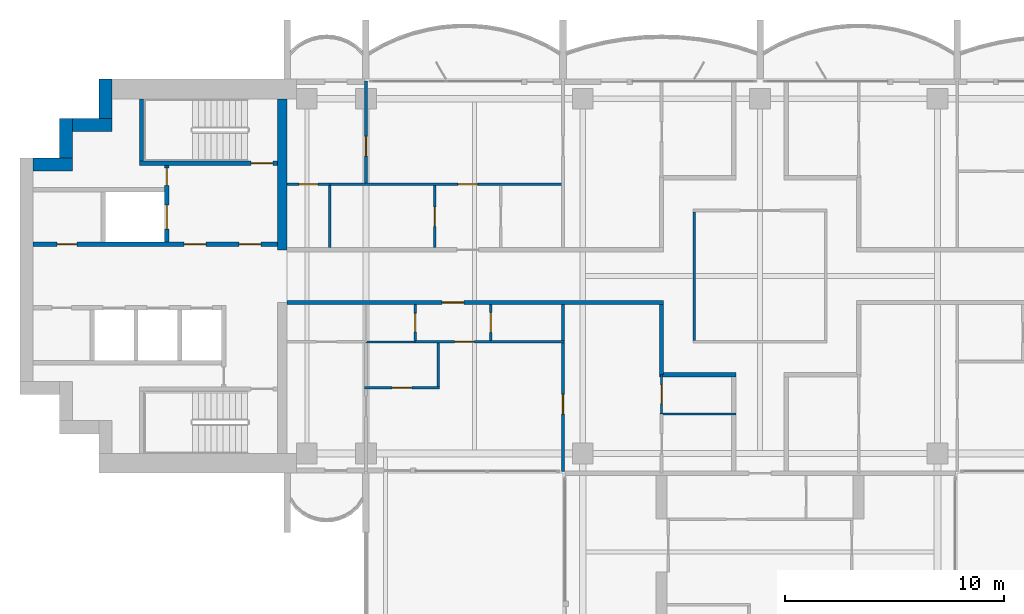
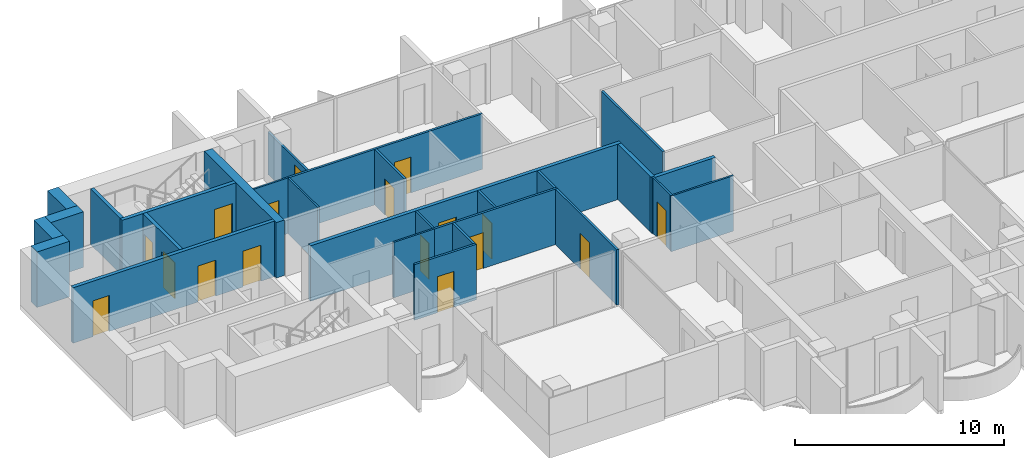
# One storey, part 9 of 17: 27 walls, 17 doors, 17 openings.
"""IFC4 building model written with IfcOpenShell, lengths in metres."""

from ifc_helpers import new_model, si_unit, direction, frame, frame_2d, origin, place, context, subcontext, project, spatial, rectangle, extrude, material, layer, layer_set, type_object, element, fill, save


model = new_model("IFC4")

# Units and contexts
model_context = context("Model", 3, precision=1e-05, world=origin(), true_north=direction((0.0, 1.0)))
body_context = subcontext(model_context, "Body", "Model", "MODEL_VIEW")
ifc_project = project(units=[si_unit("LENGTHUNIT", "METRE"), si_unit("AREAUNIT", "SQUARE_METRE"), si_unit("VOLUMEUNIT", "CUBIC_METRE"), si_unit("PLANEANGLEUNIT", "RADIAN"), si_unit("MASSUNIT", "GRAM", prefix="KILO")], contexts=[model_context])

# Site, building, storey
site_placement = place(None, origin())
site = spatial("IfcSite", under=ifc_project, at=site_placement, CompositionType="ELEMENT")
building_placement = place(site_placement, origin())
building = spatial("IfcBuilding", under=site, at=building_placement, Name="Perihelion Cross Residences", CompositionType="ELEMENT")
storey_placement = place(building_placement, frame((0.0, 0.0, 201.60009765625)))
storey = spatial("IfcBuildingStorey", under=building, at=storey_placement, Name="L50", CompositionType="ELEMENT", Elevation=201.60009765625)

# Wall, opening, door
ifc_material_1 = material(Name="Plasterboard partition")
ifc_layer_1 = layer(ifc_material_1, 0.199951171875)
ifc_layer_set_1 = layer_set([ifc_layer_1], Name="Apartment separation wall 200")
wall_type_1 = type_object("IfcWallType", Name="Apartment separation wall 200", PredefinedType="PARTITIONING", material=ifc_layer_set_1)
wall_1_placement = place(storey_placement, frame((-4.39990234375, -1.199951171875, 0.0), z_axis=(0.0, 0.0, 1.0), x_axis=(-1.0, 0.0, 0.0)))
wall_1 = element("IfcWall", 1, at=wall_1_placement, inside=storey, type_object=wall_type_1, Name="Partition L50 W017", PredefinedType="PARTITIONING", context=body_context, shape_type="SweptSolid", body=[
    extrude(rectangle(XDim=17.2001953125, YDim=0.199951171875, at=frame_2d((8.60009765625, 0.0))), origin(), (0.0, 0.0, 1.0), 3.25),
])
opening_1_placement = place(wall_1_placement, frame((9.125, 0.0, 0.0)))
opening_1 = element("IfcOpeningElement", 2, at=opening_1_placement, cuts=wall_1, Name="Opening L50.A41", PredefinedType="OPENING", context=body_context, shape_type="SweptSolid", body=[
    extrude(rectangle(XDim=1.0, YDim=2.10009765625, at=frame_2d((0.5, 1.050048828125))), frame((0.0, 0.10986328125, 0.0), z_axis=(0.0, -1.0, 0.0), x_axis=(1.0, 0.0, 0.0)), (0.0, 0.0, 1.0), 0.219970703125),
])
ifc_material_2 = material(Name="Timber door leaf", Category="wood")
door_type_1 = type_object("IfcDoorType", Name="Flat entrance door 1000 x 2100", OperationType="SINGLE_SWING_LEFT", PredefinedType="DOOR", material=ifc_material_2)
door_1_placement = place(opening_1_placement, origin())
door_1 = element("IfcDoor", 3, at=door_1_placement, inside=storey, type_object=door_type_1, Name="Door L50.A41", OperationType="SINGLE_SWING_RIGHT", OverallHeight=2.10009765625, OverallWidth=1.0, PredefinedType="DOOR", context=body_context, shape_type="SweptSolid", body=[
    extrude(rectangle(XDim=1.0, YDim=2.10009765625, at=frame_2d((0.5, 1.050048828125))), frame((0.0, 0.02490234375, 0.0), z_axis=(0.0, -1.0, 0.0), x_axis=(1.0, 0.0, 0.0)), (0.0, 0.0, 1.0), 0.050048828125),
])
fill(opening_1, door_1)

# Walls
wall_2_placement = place(storey_placement, frame((-4.5, -4.5, 0.0), z_axis=(0.0, 0.0, 1.0), x_axis=(0.0, 1.0, 0.0)))
element("IfcWall", 4, at=wall_2_placement, inside=storey, type_object=wall_type_1, Name="Partition L50 W018", PredefinedType="PARTITIONING", context=body_context, shape_type="SweptSolid", body=[
    extrude(rectangle(XDim=3.199951171875, YDim=0.199951171875, at=frame_2d((1.60009765625, 0.0))), origin(), (0.0, 0.0, 1.0), 3.25),
])
wall_3_placement = place(storey_placement, frame((-1.10009765625, -4.5, 0.0), z_axis=(0.0, 0.0, 1.0), x_axis=(-1.0, 0.0, 0.0)))
element("IfcWall", 5, at=wall_3_placement, inside=storey, type_object=wall_type_1, Name="Partition L50 W020", PredefinedType="PARTITIONING", context=body_context, shape_type="SweptSolid", body=[
    extrude(rectangle(XDim=3.5, YDim=0.199951171875, at=frame_2d((1.75, 0.0))), origin(), (0.0, 0.0, 1.0), 3.25),
])
ifc_material_3 = material(Name="Concrete C60/75", Category="concrete")
ifc_layer_2 = layer(ifc_material_3, 0.449951171875)
ifc_layer_set_2 = layer_set([ifc_layer_2], Name="Core wall, inner 450")
wall_type_2 = type_object("IfcWallType", Name="Core wall, inner 450", PredefinedType="SHEAR", material=ifc_layer_set_2)
wall_4_placement = place(storey_placement, frame((-21.824951171875, 1.199951171875, 0.0), z_axis=(0.0, 0.0, 1.0), x_axis=(0.0, 1.0, 0.0)))
element("IfcWall", 6, at=wall_4_placement, inside=storey, type_object=wall_type_2, Name="West core core wall, inner", PredefinedType="SHEAR", context=body_context, shape_type="SweptSolid", body=[
    extrude(rectangle(XDim=6.900146484375, YDim=0.449951171875, at=frame_2d((3.4501953125, 0.0))), origin(), (0.0, 0.0, 1.0), 3.25),
])
ifc_material_4 = material(Name="Concrete C60/75", Category="concrete")
ifc_layer_3 = layer(ifc_material_4, 0.60009765625)
ifc_layer_set_3 = layer_set([ifc_layer_3], Name="Core wall, outer 600")
wall_type_3 = type_object("IfcWallType", Name="Core wall, outer 600", PredefinedType="SHEAR", material=ifc_layer_set_3)
for number, where, z_axis, x_axis, name in (
    (7, (-33.199951171875, 5.10009765625, 0.0), (0.0, 0.0, 1.0), (1.0, 0.0, 0.0), "West core core wall, outer"),
    (8, (-31.699951171875, 5.39990234375, 0.0), (0.0, 0.0, 1.0), (0.0, 1.0, 0.0), "West core core wall, outer"),
):
    element("IfcWall", number, at=place(storey_placement, frame(where, z_axis=z_axis, x_axis=x_axis)), inside=storey, type_object=wall_type_3, Name=name, PredefinedType="SHEAR", context=body_context, shape_type="SweptSolid", body=[
        extrude(rectangle(XDim=1.800048828125, YDim=0.60009765625, at=frame_2d((0.89990234375, 0.0))), origin(), (0.0, 0.0, 1.0), 3.25),
    ])
wall_5_placement = place(storey_placement, frame((-31.39990234375, 6.89990234375, 0.0), z_axis=(0.0, 0.0, 1.0), x_axis=(1.0, 0.0, 0.0)))
element("IfcWall", 9, at=wall_5_placement, inside=storey, type_object=wall_type_3, Name="West core core wall, outer", PredefinedType="SHEAR", context=body_context, shape_type="SweptSolid", body=[
    extrude(rectangle(XDim=1.7998046875, YDim=0.60009765625, at=frame_2d((0.89990234375, 0.0))), origin(), (0.0, 0.0, 1.0), 3.25),
])
wall_6_placement = place(storey_placement, frame((-29.89990234375, 7.199951171875, 0.0), z_axis=(0.0, 0.0, 1.0), x_axis=(0.0, 1.0, 0.0)))
element("IfcWall", 10, at=wall_6_placement, inside=storey, type_object=wall_type_3, Name="West core core wall, outer", PredefinedType="SHEAR", context=body_context, shape_type="SweptSolid", body=[
    extrude(rectangle(XDim=1.800048828125, YDim=0.60009765625, at=frame_2d((0.89990234375, 0.0))), origin(), (0.0, 0.0, 1.0), 3.25),
])
ifc_material_5 = material(Name="Plasterboard partition")
ifc_layer_4 = layer(ifc_material_5, 0.1201171875)
ifc_layer_set_4 = layer_set([ifc_layer_4], Name="Partition wall 120")
wall_type_4 = type_object("IfcWallType", Name="Partition wall 120", PredefinedType="PARTITIONING", material=ifc_layer_set_4)
wall_7_placement = place(storey_placement, frame((-3.0, 2.93994140625, 0.0), z_axis=(0.0, 0.0, 1.0), x_axis=(0.0, -1.0, 0.0)))
element("IfcWall", 11, at=wall_7_placement, inside=storey, type_object=wall_type_4, Name="Partition L50 W004", PredefinedType="PARTITIONING", context=body_context, shape_type="SweptSolid", body=[
    extrude(rectangle(XDim=5.8798828125, YDim=0.1201171875, at=frame_2d((2.93994140625, 0.0))), origin(), (0.0, 0.0, 1.0), 3.25),
])

# Wall, opening, door
wall_8_placement = place(storey_placement, frame((-19.64990234375, 4.199951171875, 0.0), z_axis=(0.0, 0.0, 1.0), x_axis=(1.0, 0.0, 0.0)))
wall_8 = element("IfcWall", 12, at=wall_8_placement, inside=storey, type_object=wall_type_4, Name="Partition L50 W039", PredefinedType="PARTITIONING", context=body_context, shape_type="SweptSolid", body=[
    extrude(rectangle(XDim=10.7099609375, YDim=0.1201171875, at=frame_2d((5.35498046875, 0.0))), origin(), (0.0, 0.0, 1.0), 3.25),
])
opening_2_placement = place(wall_8_placement, frame((5.85009765625, 0.0, 0.0)))
opening_2 = element("IfcOpeningElement", 13, at=opening_2_placement, cuts=wall_8, Name="Opening L50.A21", PredefinedType="OPENING", context=body_context, shape_type="SweptSolid", body=[
    extrude(rectangle(XDim=0.89990234375, YDim=2.10009765625, at=frame_2d((0.449951171875, 1.050048828125))), frame((0.0, 0.070068359375, 0.0), z_axis=(0.0, -1.0, 0.0), x_axis=(1.0, 0.0, 0.0)), (0.0, 0.0, 1.0), 0.14013671875),
])
ifc_material_6 = material(Name="Timber door leaf", Category="wood")
door_type_2 = type_object("IfcDoorType", Name="Interior room door 900 x 2100", OperationType="SINGLE_SWING_LEFT", PredefinedType="DOOR", material=ifc_material_6)
door_2_placement = place(opening_2_placement, origin())
door_2 = element("IfcDoor", 14, at=door_2_placement, inside=storey, type_object=door_type_2, Name="Door L50.A21", OperationType="SINGLE_SWING_LEFT", OverallHeight=2.10009765625, OverallWidth=0.89990234375, PredefinedType="DOOR", context=body_context, shape_type="SweptSolid", body=[
    extrude(rectangle(XDim=0.89990234375, YDim=2.10009765625, at=frame_2d((0.449951171875, 1.050048828125))), frame((0.0, 0.02490234375, 0.0), z_axis=(0.0, -1.0, 0.0), x_axis=(1.0, 0.0, 0.0)), (0.0, 0.0, 1.0), 0.050048828125),
])
fill(opening_2, door_2)

wall_9_placement = place(storey_placement, frame((-14.85009765625, 1.300048828125, 0.0), z_axis=(0.0, 0.0, 1.0), x_axis=(0.0, 1.0, 0.0)))
wall_9 = element("IfcWall", 15, at=wall_9_placement, inside=storey, type_object=wall_type_4, Name="Partition L50 W041", PredefinedType="PARTITIONING", context=body_context, shape_type="SweptSolid", body=[
    extrude(rectangle(XDim=2.83984375, YDim=0.1201171875, at=frame_2d((1.419921875, 0.0))), origin(), (0.0, 0.0, 1.0), 3.25),
])
opening_3_placement = place(wall_9_placement, frame((0.969970703125, 0.0, 0.0)))
opening_3 = element("IfcOpeningElement", 16, at=opening_3_placement, cuts=wall_9, Name="Opening L50.A18", PredefinedType="OPENING", context=body_context, shape_type="SweptSolid", body=[
    extrude(rectangle(XDim=0.89990234375, YDim=2.10009765625, at=frame_2d((0.449951171875, 1.050048828125))), frame((0.0, 0.070068359375, 0.0), z_axis=(0.0, -1.0, 0.0), x_axis=(1.0, 0.0, 0.0)), (0.0, 0.0, 1.0), 0.14013671875),
])
door_3_placement = place(opening_3_placement, origin())
door_3 = element("IfcDoor", 17, at=door_3_placement, inside=storey, type_object=door_type_2, Name="Door L50.A18", OperationType="SINGLE_SWING_LEFT", OverallHeight=2.10009765625, OverallWidth=0.89990234375, PredefinedType="DOOR", context=body_context, shape_type="SweptSolid", body=[
    extrude(rectangle(XDim=0.89990234375, YDim=2.10009765625, at=frame_2d((0.449951171875, 1.050048828125))), frame((0.0, 0.02490234375, 0.0), z_axis=(0.0, -1.0, 0.0), x_axis=(1.0, 0.0, 0.0)), (0.0, 0.0, 1.0), 0.050048828125),
])
fill(opening_3, door_3)

wall_10_placement = place(storey_placement, frame((-18.0, 4.260009765625, 0.0), z_axis=(0.0, 0.0, 1.0), x_axis=(0.0, 1.0, 0.0)))
wall_10 = element("IfcWall", 18, at=wall_10_placement, inside=storey, type_object=wall_type_4, Name="Partition L50 W044", PredefinedType="PARTITIONING", context=body_context, shape_type="SweptSolid", body=[
    extrude(rectangle(XDim=4.659912109375, YDim=0.1201171875, at=frame_2d((2.330078125, 0.0))), origin(), (0.0, 0.0, 1.0), 2.47998046875),
])
opening_4_placement = place(wall_10_placement, frame((1.219970703125, 0.0, 0.0)))
opening_4 = element("IfcOpeningElement", 19, at=opening_4_placement, cuts=wall_10, Name="Opening L50.A16", PredefinedType="OPENING", context=body_context, shape_type="SweptSolid", body=[
    extrude(rectangle(XDim=0.89990234375, YDim=2.10009765625, at=frame_2d((0.449951171875, 1.050048828125))), frame((0.0, 0.070068359375, 0.0), z_axis=(0.0, -1.0, 0.0), x_axis=(1.0, 0.0, 0.0)), (0.0, 0.0, 1.0), 0.14013671875),
])
door_4_placement = place(opening_4_placement, origin())
door_4 = element("IfcDoor", 20, at=door_4_placement, inside=storey, type_object=door_type_2, Name="Door L50.A16", OperationType="SINGLE_SWING_LEFT", OverallHeight=2.10009765625, OverallWidth=0.89990234375, PredefinedType="DOOR", context=body_context, shape_type="SweptSolid", body=[
    extrude(rectangle(XDim=0.89990234375, YDim=2.10009765625, at=frame_2d((0.449951171875, 1.050048828125))), frame((0.0, 0.02490234375, 0.0), z_axis=(0.0, -1.0, 0.0), x_axis=(1.0, 0.0, 0.0)), (0.0, 0.0, 1.0), 0.050048828125),
])
fill(opening_4, door_4)

wall_11_placement = place(storey_placement, frame((-12.300048828125, -2.93994140625, 0.0), z_axis=(0.0, 0.0, 1.0), x_axis=(0.0, 1.0, 0.0)))
wall_11 = element("IfcWall", 21, at=wall_11_placement, inside=storey, type_object=wall_type_4, Name="Partition L50 W046", PredefinedType="PARTITIONING", context=body_context, shape_type="SweptSolid", body=[
    extrude(rectangle(XDim=1.639892578125, YDim=0.1201171875, at=frame_2d((0.81982421875, 0.0))), origin(), (0.0, 0.0, 1.0), 3.25),
])
opening_5_placement = place(wall_11_placement, frame((0.3701171875, 0.0, 0.0)))
opening_5 = element("IfcOpeningElement", 22, at=opening_5_placement, cuts=wall_11, Name="Opening L50.A25", PredefinedType="OPENING", context=body_context, shape_type="SweptSolid", body=[
    extrude(rectangle(XDim=0.89990234375, YDim=2.10009765625, at=frame_2d((0.449951171875, 1.050048828125))), frame((0.0, 0.070068359375, 0.0), z_axis=(0.0, -1.0, 0.0), x_axis=(1.0, 0.0, 0.0)), (0.0, 0.0, 1.0), 0.14013671875),
])
door_5_placement = place(opening_5_placement, origin())
door_5 = element("IfcDoor", 23, at=door_5_placement, inside=storey, type_object=door_type_2, Name="Door L50.A25", OperationType="SINGLE_SWING_LEFT", OverallHeight=2.10009765625, OverallWidth=0.89990234375, PredefinedType="DOOR", context=body_context, shape_type="SweptSolid", body=[
    extrude(rectangle(XDim=0.89990234375, YDim=2.10009765625, at=frame_2d((0.449951171875, 1.050048828125))), frame((0.0, 0.02490234375, 0.0), z_axis=(0.0, -1.0, 0.0), x_axis=(1.0, 0.0, 0.0)), (0.0, 0.0, 1.0), 0.050048828125),
])
fill(opening_5, door_5)

wall_12_placement = place(storey_placement, frame((-8.93994140625, -3.0, 0.0), z_axis=(0.0, 0.0, 1.0), x_axis=(-1.0, 0.0, 0.0)))
wall_12 = element("IfcWall", 24, at=wall_12_placement, inside=storey, type_object=wall_type_4, Name="Partition L50 W047", PredefinedType="PARTITIONING", context=body_context, shape_type="SweptSolid", body=[
    extrude(rectangle(XDim=6.81005859375, YDim=0.1201171875, at=frame_2d((3.405029296875, 0.0))), origin(), (0.0, 0.0, 1.0), 3.25),
])
opening_6_placement = place(wall_12_placement, frame((4.110107421875, 0.0, 0.0)))
opening_6 = element("IfcOpeningElement", 25, at=opening_6_placement, cuts=wall_12, Name="Opening L50.A26", PredefinedType="OPENING", context=body_context, shape_type="SweptSolid", body=[
    extrude(rectangle(XDim=0.89990234375, YDim=2.10009765625, at=frame_2d((0.449951171875, 1.050048828125))), frame((0.0, 0.070068359375, 0.0), z_axis=(0.0, -1.0, 0.0), x_axis=(1.0, 0.0, 0.0)), (0.0, 0.0, 1.0), 0.14013671875),
])
door_6_placement = place(opening_6_placement, origin())
door_6 = element("IfcDoor", 26, at=door_6_placement, inside=storey, type_object=door_type_2, Name="Door L50.A26", OperationType="SINGLE_SWING_LEFT", OverallHeight=2.10009765625, OverallWidth=0.89990234375, PredefinedType="DOOR", context=body_context, shape_type="SweptSolid", body=[
    extrude(rectangle(XDim=0.89990234375, YDim=2.10009765625, at=frame_2d((0.449951171875, 1.050048828125))), frame((0.0, 0.02490234375, 0.0), z_axis=(0.0, -1.0, 0.0), x_axis=(1.0, 0.0, 0.0)), (0.0, 0.0, 1.0), 0.050048828125),
])
fill(opening_6, door_6)

wall_13_placement = place(storey_placement, frame((-9.0, -1.300048828125, 0.0), z_axis=(0.0, 0.0, 1.0), x_axis=(0.0, -1.0, 0.0)))
wall_13 = element("IfcWall", 27, at=wall_13_placement, inside=storey, type_object=wall_type_4, Name="Partition L50 W048", PredefinedType="PARTITIONING", context=body_context, shape_type="SweptSolid", body=[
    extrude(rectangle(XDim=7.619873046875, YDim=0.1201171875, at=frame_2d((3.81005859375, 0.0))), origin(), (0.0, 0.0, 1.0), 3.25),
])
opening_7_placement = place(wall_13_placement, frame((4.10009765625, 0.0, 0.0)))
opening_7 = element("IfcOpeningElement", 28, at=opening_7_placement, cuts=wall_13, Name="Opening L50.A27", PredefinedType="OPENING", context=body_context, shape_type="SweptSolid", body=[
    extrude(rectangle(XDim=0.89990234375, YDim=2.10009765625, at=frame_2d((0.449951171875, 1.050048828125))), frame((0.0, 0.070068359375, 0.0), z_axis=(0.0, -1.0, 0.0), x_axis=(1.0, 0.0, 0.0)), (0.0, 0.0, 1.0), 0.14013671875),
])
door_7_placement = place(opening_7_placement, origin())
door_7 = element("IfcDoor", 29, at=door_7_placement, inside=storey, type_object=door_type_2, Name="Door L50.A27", OperationType="SINGLE_SWING_LEFT", OverallHeight=2.10009765625, OverallWidth=0.89990234375, PredefinedType="DOOR", context=body_context, shape_type="SweptSolid", body=[
    extrude(rectangle(XDim=0.89990234375, YDim=2.10009765625, at=frame_2d((0.449951171875, 1.050048828125))), frame((0.0, 0.02490234375, 0.0), z_axis=(0.0, -1.0, 0.0), x_axis=(1.0, 0.0, 0.0)), (0.0, 0.0, 1.0), 0.050048828125),
])
fill(opening_7, door_7)

wall_14_placement = place(storey_placement, frame((-18.06005859375, -5.10009765625, 0.0), z_axis=(0.0, 0.0, 1.0), x_axis=(1.0, 0.0, 0.0)))
wall_14 = element("IfcWall", 30, at=wall_14_placement, inside=storey, type_object=wall_type_4, Name="Partition L50 W053", PredefinedType="PARTITIONING", context=body_context, shape_type="SweptSolid", body=[
    extrude(rectangle(XDim=3.420166015625, YDim=0.1201171875, at=frame_2d((1.7099609375, 0.0))), origin(), (0.0, 0.0, 1.0), 3.25),
])
opening_8_placement = place(wall_14_placement, frame((1.260009765625, 0.0, 0.0)))
opening_8 = element("IfcOpeningElement", 31, at=opening_8_placement, cuts=wall_14, Name="Opening L50.A24", PredefinedType="OPENING", context=body_context, shape_type="SweptSolid", body=[
    extrude(rectangle(XDim=0.89990234375, YDim=2.10009765625, at=frame_2d((0.449951171875, 1.050048828125))), frame((0.0, 0.070068359375, 0.0), z_axis=(0.0, -1.0, 0.0), x_axis=(1.0, 0.0, 0.0)), (0.0, 0.0, 1.0), 0.14013671875),
])
door_8_placement = place(opening_8_placement, origin())
door_8 = element("IfcDoor", 32, at=door_8_placement, inside=storey, type_object=door_type_2, Name="Door L50.A24", OperationType="SINGLE_SWING_RIGHT", OverallHeight=2.10009765625, OverallWidth=0.89990234375, PredefinedType="DOOR", context=body_context, shape_type="SweptSolid", body=[
    extrude(rectangle(XDim=0.89990234375, YDim=2.10009765625, at=frame_2d((0.449951171875, 1.050048828125))), frame((0.0, 0.02490234375, 0.0), z_axis=(0.0, -1.0, 0.0), x_axis=(1.0, 0.0, 0.0)), (0.0, 0.0, 1.0), 0.050048828125),
])
fill(opening_8, door_8)

# Wall
wall_15_placement = place(storey_placement, frame((-14.699951171875, -5.0400390625, 0.0), z_axis=(0.0, 0.0, 1.0), x_axis=(0.0, 1.0, 0.0)))
element("IfcWall", 33, at=wall_15_placement, inside=storey, type_object=wall_type_4, Name="Partition L50 W054", PredefinedType="PARTITIONING", context=body_context, shape_type="SweptSolid", body=[
    extrude(rectangle(XDim=1.97998046875, YDim=0.1201171875, at=frame_2d((0.989990234375, 0.0))), origin(), (0.0, 0.0, 1.0), 3.25),
])

# Wall, openings, doors
ifc_material_7 = material(Name="Concrete C50/60", Category="concrete")
ifc_layer_5 = layer(ifc_material_7, 0.199951171875)
ifc_layer_set_5 = layer_set([ifc_layer_5], Name="Shaft wall 200")
wall_type_5 = type_object("IfcWallType", Name="Shaft wall 200", PredefinedType="SOLIDWALL", material=ifc_layer_set_5)
wall_16_placement = place(storey_placement, frame((-33.199951171875, 1.449951171875, 0.0), z_axis=(0.0, 0.0, 1.0), x_axis=(1.0, 0.0, 0.0)))
wall_16 = element("IfcWall", 34, at=wall_16_placement, inside=storey, type_object=wall_type_5, Name="West core shaft wall", PredefinedType="SOLIDWALL", context=body_context, shape_type="SweptSolid", body=[
    extrude(rectangle(XDim=11.14990234375, YDim=0.199951171875, at=frame_2d((5.574951171875, 0.0))), origin(), (0.0, 0.0, 1.0), 3.25),
])
opening_9_placement = place(wall_16_placement, frame((9.39990234375, 0.0, 0.0)))
opening_9 = element("IfcOpeningElement", 35, at=opening_9_placement, cuts=wall_16, Name="Opening L50.C19", PredefinedType="OPENING", context=body_context, shape_type="SweptSolid", body=[
    extrude(rectangle(XDim=1.0, YDim=2.10009765625, at=frame_2d((0.5, 1.050048828125))), frame((0.0, 0.10986328125, 0.0), z_axis=(0.0, -1.0, 0.0), x_axis=(1.0, 0.0, 0.0)), (0.0, 0.0, 1.0), 0.219970703125),
])
opening_10_placement = place(wall_16_placement, frame((6.89990234375, 0.0, 0.0)))
opening_10 = element("IfcOpeningElement", 36, at=opening_10_placement, cuts=wall_16, Name="Opening L50.C21", PredefinedType="OPENING", context=body_context, shape_type="SweptSolid", body=[
    extrude(rectangle(XDim=1.0, YDim=2.10009765625, at=frame_2d((0.5, 1.050048828125))), frame((0.0, 0.10986328125, 0.0), z_axis=(0.0, -1.0, 0.0), x_axis=(1.0, 0.0, 0.0)), (0.0, 0.0, 1.0), 0.219970703125),
])
opening_11_placement = place(wall_16_placement, frame((1.10009765625, 0.0, 0.0)))
opening_11 = element("IfcOpeningElement", 37, at=opening_11_placement, cuts=wall_16, Name="Opening L50.C23", PredefinedType="OPENING", context=body_context, shape_type="SweptSolid", body=[
    extrude(rectangle(XDim=0.89990234375, YDim=2.10009765625, at=frame_2d((0.449951171875, 1.050048828125))), frame((0.0, 0.10986328125, 0.0), z_axis=(0.0, -1.0, 0.0), x_axis=(1.0, 0.0, 0.0)), (0.0, 0.0, 1.0), 0.219970703125),
])
ifc_material_8 = material(Name="Steel, powder coated", Category="steel")
door_type_3 = type_object("IfcDoorType", Name="Lobby door 1000", OperationType="SINGLE_SWING_LEFT", PredefinedType="DOOR", material=ifc_material_8)
door_9_placement = place(opening_9_placement, origin())
door_9 = element("IfcDoor", 38, at=door_9_placement, inside=storey, type_object=door_type_3, Name="West core firefighting lobby door", OperationType="SINGLE_SWING_LEFT", OverallHeight=2.10009765625, OverallWidth=1.0, PredefinedType="DOOR", context=body_context, shape_type="SweptSolid", body=[
    extrude(rectangle(XDim=1.0, YDim=2.10009765625, at=frame_2d((0.5, 1.050048828125))), frame((0.0, 0.02490234375, 0.0), z_axis=(0.0, -1.0, 0.0), x_axis=(1.0, 0.0, 0.0)), (0.0, 0.0, 1.0), 0.050048828125),
])
fill(opening_9, door_9)
door_10_placement = place(opening_10_placement, origin())
door_10 = element("IfcDoor", 39, at=door_10_placement, inside=storey, type_object=door_type_3, Name="West core firefighting lobby door", OperationType="SINGLE_SWING_LEFT", OverallHeight=2.10009765625, OverallWidth=1.0, PredefinedType="DOOR", context=body_context, shape_type="SweptSolid", body=[
    extrude(rectangle(XDim=1.0, YDim=2.10009765625, at=frame_2d((0.5, 1.050048828125))), frame((0.0, 0.02490234375, 0.0), z_axis=(0.0, -1.0, 0.0), x_axis=(1.0, 0.0, 0.0)), (0.0, 0.0, 1.0), 0.050048828125),
])
fill(opening_10, door_10)
ifc_material_9 = material(Name="Steel, powder coated", Category="steel")
door_type_4 = type_object("IfcDoorType", Name="Service room door 900", OperationType="SINGLE_SWING_LEFT", PredefinedType="DOOR", material=ifc_material_9)
door_11_placement = place(opening_11_placement, origin())
door_11 = element("IfcDoor", 40, at=door_11_placement, inside=storey, type_object=door_type_4, Name="West core service room door", OperationType="SINGLE_SWING_LEFT", OverallHeight=2.10009765625, OverallWidth=0.89990234375, PredefinedType="DOOR", context=body_context, shape_type="SweptSolid", body=[
    extrude(rectangle(XDim=0.89990234375, YDim=2.10009765625, at=frame_2d((0.449951171875, 1.050048828125))), frame((0.0, 0.02490234375, 0.0), z_axis=(0.0, -1.0, 0.0), x_axis=(1.0, 0.0, 0.0)), (0.0, 0.0, 1.0), 0.050048828125),
])
fill(opening_11, door_11)

wall_17_placement = place(storey_placement, frame((-27.10009765625, 1.550048828125, 0.0), z_axis=(0.0, 0.0, 1.0), x_axis=(0.0, 1.0, 0.0)))
wall_17 = element("IfcWall", 41, at=wall_17_placement, inside=storey, type_object=wall_type_5, Name="West core shaft wall", PredefinedType="SOLIDWALL", context=body_context, shape_type="SweptSolid", body=[
    extrude(rectangle(XDim=3.5, YDim=0.199951171875, at=frame_2d((1.75, 0.0))), origin(), (0.0, 0.0, 1.0), 3.25),
])
opening_12_placement = place(wall_17_placement, frame((0.60009765625, 0.0, 0.0)))
opening_12 = element("IfcOpeningElement", 42, at=opening_12_placement, cuts=wall_17, Name="Opening L50.C14", PredefinedType="OPENING", context=body_context, shape_type="SweptSolid", body=[
    extrude(rectangle(XDim=1.10009765625, YDim=2.10009765625, at=frame_2d((0.550048828125, 1.050048828125))), frame((0.0, 0.10986328125, 0.0), z_axis=(0.0, -1.0, 0.0), x_axis=(1.0, 0.0, 0.0)), (0.0, 0.0, 1.0), 0.219970703125),
])
opening_13_placement = place(wall_17_placement, frame((2.60009765625, 0.0, 0.0)))
opening_13 = element("IfcOpeningElement", 43, at=opening_13_placement, cuts=wall_17, Name="Opening L50.C22", PredefinedType="OPENING", context=body_context, shape_type="SweptSolid", body=[
    extrude(rectangle(XDim=0.800048828125, YDim=2.10009765625, at=frame_2d((0.39990234375, 1.050048828125))), frame((0.0, 0.10986328125, 0.0), z_axis=(0.0, -1.0, 0.0), x_axis=(1.0, 0.0, 0.0)), (0.0, 0.0, 1.0), 0.219970703125),
])
ifc_material_10 = material(Name="Stainless steel", Category="steel")
door_type_5 = type_object("IfcDoorType", Name="Landing door, firefighting lift 1100", OperationType="DOUBLE_DOOR_SLIDING", PredefinedType="DOOR", material=ifc_material_10)
door_12_placement = place(opening_12_placement, origin())
door_12 = element("IfcDoor", 44, at=door_12_placement, inside=storey, type_object=door_type_5, Name="Landing door, West core firefighting and service lift", OperationType="DOUBLE_DOOR_SLIDING", OverallHeight=2.10009765625, OverallWidth=1.10009765625, PredefinedType="DOOR", context=body_context, shape_type="SweptSolid", body=[
    extrude(rectangle(XDim=1.10009765625, YDim=2.10009765625, at=frame_2d((0.550048828125, 1.050048828125))), frame((0.0, 0.02490234375, 0.0), z_axis=(0.0, -1.0, 0.0), x_axis=(1.0, 0.0, 0.0)), (0.0, 0.0, 1.0), 0.050048828125),
])
fill(opening_12, door_12)
ifc_material_11 = material(Name="Steel, powder coated", Category="steel")
door_type_6 = type_object("IfcDoorType", Name="Riser door 800", OperationType="SINGLE_SWING_LEFT", PredefinedType="DOOR", material=ifc_material_11)
door_13_placement = place(opening_13_placement, origin())
door_13 = element("IfcDoor", 45, at=door_13_placement, inside=storey, type_object=door_type_6, Name="West core riser door", OperationType="SINGLE_SWING_LEFT", OverallHeight=2.10009765625, OverallWidth=0.800048828125, PredefinedType="DOOR", context=body_context, shape_type="SweptSolid", body=[
    extrude(rectangle(XDim=0.800048828125, YDim=2.10009765625, at=frame_2d((0.39990234375, 1.050048828125))), frame((0.0, 0.02490234375, 0.0), z_axis=(0.0, -1.0, 0.0), x_axis=(1.0, 0.0, 0.0)), (0.0, 0.0, 1.0), 0.050048828125),
])
fill(opening_13, door_13)

# Wall, opening, door
ifc_material_12 = material(Name="Concrete C50/60", Category="concrete")
ifc_layer_6 = layer(ifc_material_12, 0.199951171875)
ifc_layer_set_6 = layer_set([ifc_layer_6], Name="Stair wall 200")
wall_type_6 = type_object("IfcWallType", Name="Stair wall 200", PredefinedType="SOLIDWALL", material=ifc_layer_set_6)
wall_18_placement = place(storey_placement, frame((-28.35009765625, 5.14990234375, 0.0), z_axis=(0.0, 0.0, 1.0), x_axis=(1.0, 0.0, 0.0)))
wall_18 = element("IfcWall", 46, at=wall_18_placement, inside=storey, type_object=wall_type_6, Name="West core stair wall", PredefinedType="SOLIDWALL", context=body_context, shape_type="SweptSolid", body=[
    extrude(rectangle(XDim=6.300048828125, YDim=0.199951171875, at=frame_2d((3.14990234375, 0.0))), origin(), (0.0, 0.0, 1.0), 3.25),
])
opening_14_placement = place(wall_18_placement, frame((5.10009765625, 0.0, 0.0)))
opening_14 = element("IfcOpeningElement", 47, at=opening_14_placement, cuts=wall_18, Name="Opening L50.C18", PredefinedType="OPENING", context=body_context, shape_type="SweptSolid", body=[
    extrude(rectangle(XDim=1.0, YDim=2.10009765625, at=frame_2d((0.5, 1.050048828125))), frame((0.0, 0.10986328125, 0.0), z_axis=(0.0, -1.0, 0.0), x_axis=(1.0, 0.0, 0.0)), (0.0, 0.0, 1.0), 0.219970703125),
])
ifc_material_13 = material(Name="Steel, powder coated", Category="steel")
door_type_7 = type_object("IfcDoorType", Name="Stair door 1000", OperationType="SINGLE_SWING_LEFT", PredefinedType="DOOR", material=ifc_material_13)
door_14_placement = place(opening_14_placement, origin())
door_14 = element("IfcDoor", 48, at=door_14_placement, inside=storey, type_object=door_type_7, Name="West core stair door", OperationType="SINGLE_SWING_LEFT", OverallHeight=2.10009765625, OverallWidth=1.0, PredefinedType="DOOR", context=body_context, shape_type="SweptSolid", body=[
    extrude(rectangle(XDim=1.0, YDim=2.10009765625, at=frame_2d((0.5, 1.050048828125))), frame((0.0, 0.02490234375, 0.0), z_axis=(0.0, -1.0, 0.0), x_axis=(1.0, 0.0, 0.0)), (0.0, 0.0, 1.0), 0.050048828125),
])
fill(opening_14, door_14)

# Walls
wall_19_placement = place(storey_placement, frame((-28.25, 5.25, 0.0), z_axis=(0.0, 0.0, 1.0), x_axis=(0.0, 1.0, 0.0)))
element("IfcWall", 49, at=wall_19_placement, inside=storey, type_object=wall_type_6, Name="West core stair wall", PredefinedType="SOLIDWALL", context=body_context, shape_type="SweptSolid", body=[
    extrude(rectangle(XDim=2.85009765625, YDim=0.199951171875, at=frame_2d((1.425048828125, 0.0))), origin(), (0.0, 0.0, 1.0), 3.25),
])
ifc_material_14 = material(Name="Plasterboard partition")
ifc_layer_7 = layer(ifc_material_14, 0.10009765625)
ifc_layer_set_7 = layer_set([ifc_layer_7], Name="Wet room wall 100")
wall_type_7 = type_object("IfcWallType", Name="Wet room wall 100", PredefinedType="PARTITIONING", material=ifc_layer_set_7)
wall_20_placement = place(storey_placement, frame((-19.64990234375, 1.300048828125, 0.0), z_axis=(0.0, 0.0, 1.0), x_axis=(0.0, 1.0, 0.0)))
element("IfcWall", 50, at=wall_20_placement, inside=storey, type_object=wall_type_7, Name="Partition L50 W042", PredefinedType="PARTITIONING", context=body_context, shape_type="SweptSolid", body=[
    extrude(rectangle(XDim=2.83984375, YDim=0.10009765625, at=frame_2d((1.419921875, 0.0))), origin(), (0.0, 0.0, 1.0), 3.25),
])

# Wall, opening, door
wall_21_placement = place(storey_placement, frame((-21.60009765625, 4.199951171875, 0.0), z_axis=(0.0, 0.0, 1.0), x_axis=(1.0, 0.0, 0.0)))
wall_21 = element("IfcWall", 51, at=wall_21_placement, inside=storey, type_object=wall_type_7, Name="Partition L50 W043", PredefinedType="PARTITIONING", context=body_context, shape_type="SweptSolid", body=[
    extrude(rectangle(XDim=1.9501953125, YDim=0.10009765625, at=frame_2d((0.97509765625, 0.0))), origin(), (0.0, 0.0, 1.0), 3.25),
])
opening_15_placement = place(wall_21_placement, frame((0.550048828125, 0.0, 0.0)))
opening_15 = element("IfcOpeningElement", 52, at=opening_15_placement, cuts=wall_21, Name="Opening L50.A20", PredefinedType="OPENING", context=body_context, shape_type="SweptSolid", body=[
    extrude(rectangle(XDim=0.85009765625, YDim=2.10009765625, at=frame_2d((0.425048828125, 1.050048828125))), frame((0.0, 0.06005859375, 0.0), z_axis=(0.0, -1.0, 0.0), x_axis=(1.0, 0.0, 0.0)), (0.0, 0.0, 1.0), 0.1201171875),
])
ifc_material_15 = material(Name="Timber door leaf", Category="wood")
door_type_8 = type_object("IfcDoorType", Name="Interior bathroom door 850 x 2100", OperationType="SINGLE_SWING_LEFT", PredefinedType="DOOR", material=ifc_material_15)
door_15_placement = place(opening_15_placement, origin())
door_15 = element("IfcDoor", 53, at=door_15_placement, inside=storey, type_object=door_type_8, Name="Door L50.A20", OperationType="SINGLE_SWING_RIGHT", OverallHeight=2.10009765625, OverallWidth=0.85009765625, PredefinedType="DOOR", context=body_context, shape_type="SweptSolid", body=[
    extrude(rectangle(XDim=0.85009765625, YDim=2.10009765625, at=frame_2d((0.425048828125, 1.050048828125))), frame((0.0, 0.02490234375, 0.0), z_axis=(0.0, -1.0, 0.0), x_axis=(1.0, 0.0, 0.0)), (0.0, 0.0, 1.0), 0.050048828125),
])
fill(opening_15, door_15)

wall_22_placement = place(storey_placement, frame((-15.75, -2.93994140625, 0.0), z_axis=(0.0, 0.0, 1.0), x_axis=(0.0, 1.0, 0.0)))
wall_22 = element("IfcWall", 54, at=wall_22_placement, inside=storey, type_object=wall_type_7, Name="Partition L50 W049", PredefinedType="PARTITIONING", context=body_context, shape_type="SweptSolid", body=[
    extrude(rectangle(XDim=1.639892578125, YDim=0.10009765625, at=frame_2d((0.81982421875, 0.0))), origin(), (0.0, 0.0, 1.0), 3.25),
])
opening_16_placement = place(wall_22_placement, frame((0.39501953125, 0.0, 0.0)))
opening_16 = element("IfcOpeningElement", 55, at=opening_16_placement, cuts=wall_22, Name="Opening L50.A31", PredefinedType="OPENING", context=body_context, shape_type="SweptSolid", body=[
    extrude(rectangle(XDim=0.85009765625, YDim=2.10009765625, at=frame_2d((0.425048828125, 1.050048828125))), frame((0.0, 0.06005859375, 0.0), z_axis=(0.0, -1.0, 0.0), x_axis=(1.0, 0.0, 0.0)), (0.0, 0.0, 1.0), 0.1201171875),
])
door_16_placement = place(opening_16_placement, origin())
door_16 = element("IfcDoor", 56, at=door_16_placement, inside=storey, type_object=door_type_8, Name="Door L50.A31", OperationType="SINGLE_SWING_RIGHT", OverallHeight=2.10009765625, OverallWidth=0.85009765625, PredefinedType="DOOR", context=body_context, shape_type="SweptSolid", body=[
    extrude(rectangle(XDim=0.85009765625, YDim=2.10009765625, at=frame_2d((0.425048828125, 1.050048828125))), frame((0.0, 0.02490234375, 0.0), z_axis=(0.0, -1.0, 0.0), x_axis=(1.0, 0.0, 0.0)), (0.0, 0.0, 1.0), 0.050048828125),
])
fill(opening_16, door_16)

# Wall
wall_23_placement = place(storey_placement, frame((-15.75, -3.0, 0.0), z_axis=(0.0, 0.0, 1.0), x_axis=(-1.0, 0.0, 0.0)))
element("IfcWall", 57, at=wall_23_placement, inside=storey, type_object=wall_type_7, Name="Partition L50 W051", PredefinedType="PARTITIONING", context=body_context, shape_type="SweptSolid", body=[
    extrude(rectangle(XDim=2.25, YDim=0.10009765625, at=frame_2d((1.125, 0.0))), origin(), (0.0, 0.0, 1.0), 3.25),
])

# Wall, opening, door
wall_24_placement = place(storey_placement, frame((-4.5, -4.5, 0.0), z_axis=(0.0, 0.0, 1.0), x_axis=(0.0, -1.0, 0.0)))
wall_24 = element("IfcWall", 58, at=wall_24_placement, inside=storey, type_object=wall_type_7, Name="Partition L50 W056", PredefinedType="PARTITIONING", context=body_context, shape_type="SweptSolid", body=[
    extrude(rectangle(XDim=1.800048828125, YDim=0.10009765625, at=frame_2d((0.89990234375, 0.0))), origin(), (0.0, 0.0, 1.0), 3.25),
])
opening_17_placement = place(wall_24_placement, frame((0.47509765625, 0.0, 0.0)))
opening_17 = element("IfcOpeningElement", 59, at=opening_17_placement, cuts=wall_24, Name="Opening L50.A30", PredefinedType="OPENING", context=body_context, shape_type="SweptSolid", body=[
    extrude(rectangle(XDim=0.85009765625, YDim=2.10009765625, at=frame_2d((0.425048828125, 1.050048828125))), frame((0.0, 0.06005859375, 0.0), z_axis=(0.0, -1.0, 0.0), x_axis=(1.0, 0.0, 0.0)), (0.0, 0.0, 1.0), 0.1201171875),
])
door_17_placement = place(opening_17_placement, origin())
door_17 = element("IfcDoor", 60, at=door_17_placement, inside=storey, type_object=door_type_8, Name="Door L50.A30", OperationType="SINGLE_SWING_RIGHT", OverallHeight=2.10009765625, OverallWidth=0.85009765625, PredefinedType="DOOR", context=body_context, shape_type="SweptSolid", body=[
    extrude(rectangle(XDim=0.85009765625, YDim=2.10009765625, at=frame_2d((0.425048828125, 1.050048828125))), frame((0.0, 0.02490234375, 0.0), z_axis=(0.0, -1.0, 0.0), x_axis=(1.0, 0.0, 0.0)), (0.0, 0.0, 1.0), 0.050048828125),
])
fill(opening_17, door_17)

# Wall
wall_25_placement = place(storey_placement, frame((-1.10009765625, -6.300048828125, 0.0), z_axis=(0.0, 0.0, 1.0), x_axis=(-1.0, 0.0, 0.0)))
element("IfcWall", 61, at=wall_25_placement, inside=storey, type_object=wall_type_7, Name="Partition L50 W058", PredefinedType="PARTITIONING", context=body_context, shape_type="SweptSolid", body=[
    extrude(rectangle(XDim=3.4599609375, YDim=0.10009765625, at=frame_2d((1.72998046875, 0.0))), origin(), (0.0, 0.0, 1.0), 3.25),
])

save(model, "model.ifc")
